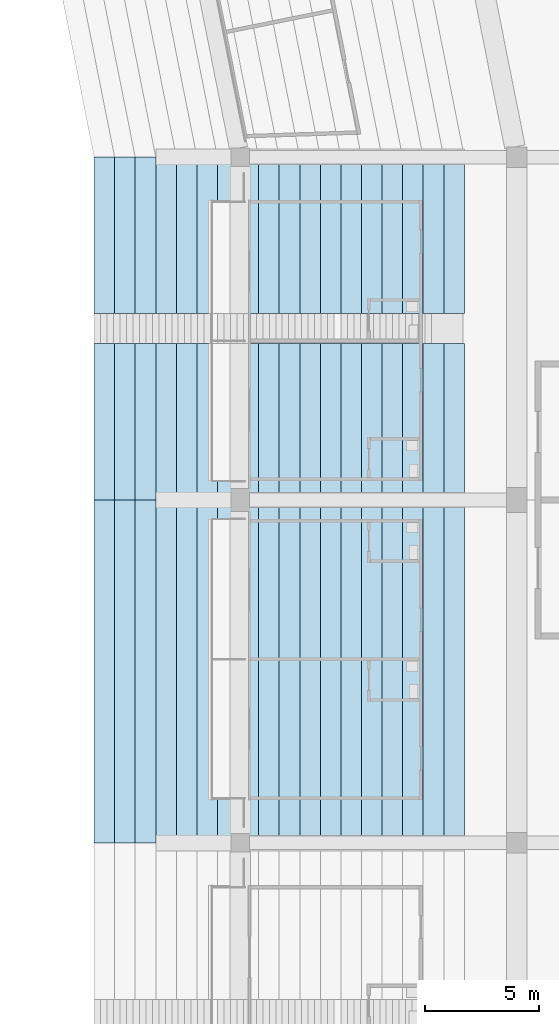
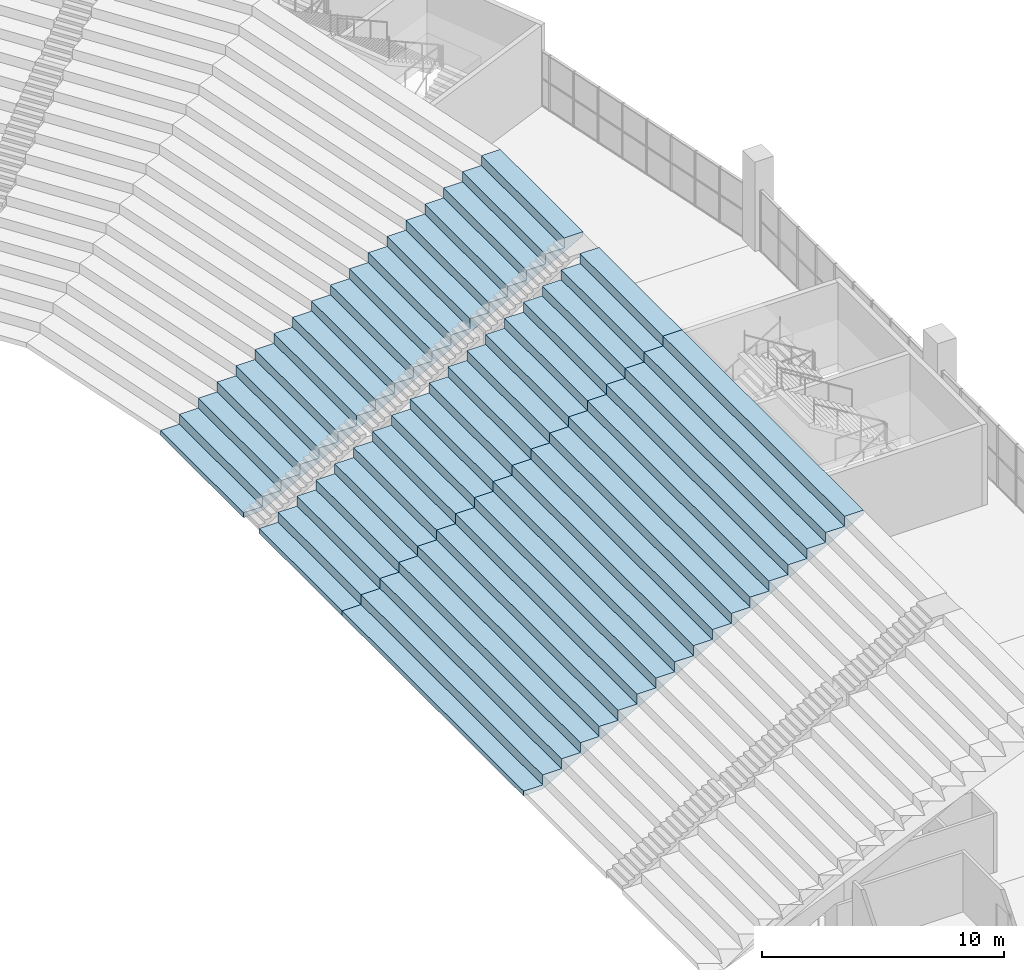
# One storey, part 128 of 249: 2 slabs.
"""IFC4 building model written with IfcOpenShell, lengths in metres."""

from ifc_helpers import new_model, si_unit, direction, frame, origin, place, context, subcontext, project, spatial, faceted_brep, material, layer, layer_set, type_object, element, save


model = new_model("IFC4")

# Units and contexts
model_context = context("Model", 3, precision=1e-05, world=origin(), true_north=direction((0.0, 1.0)))
body_context = subcontext(model_context, "Body", "Model", "MODEL_VIEW")
ifc_project = project(units=[si_unit("LENGTHUNIT", "METRE"), si_unit("AREAUNIT", "SQUARE_METRE"), si_unit("VOLUMEUNIT", "CUBIC_METRE"), si_unit("PLANEANGLEUNIT", "RADIAN"), si_unit("MASSUNIT", "GRAM", prefix="KILO")], contexts=[model_context])

# Site, building, storey
site_placement = place(None, origin())
site = spatial("IfcSite", under=ifc_project, at=site_placement, CompositionType="ELEMENT")
building_placement = place(site_placement, origin())
building = spatial("IfcBuilding", under=site, at=building_placement, Name="Ogive Plaza Stadium", CompositionType="ELEMENT")
storey_placement = place(building_placement, frame((0.0, 0.0, 13.5)))
storey = spatial("IfcBuildingStorey", under=building, at=storey_placement, Name="L03", CompositionType="ELEMENT", Elevation=13.5)

# Slabs
ifc_material = material(Name="Concrete C45/55 precast", Category="concrete")
ifc_layer = layer(ifc_material, 0.699951171875)
ifc_layer_set = layer_set([ifc_layer], Name="Concrete C45/55 precast")
slab_type = type_object("IfcSlabType", Name="Seating tier UT 700", PredefinedType="USERDEFINED", material=ifc_layer_set)
slab_1_placement = place(storey_placement, origin())
element("IfcSlab", 1, at=slab_1_placement, inside=storey, type_object=slab_type, Name="Stand UT B01", ObjectType="SEATING TIER", PredefinedType="USERDEFINED", context=body_context, shape_type="Brep", body=[
    faceted_brep([(55.5, 45.64990234375, 0.5), (56.39990234375, 45.64990234375, 0.5), (56.39990234375, 52.5, 0.5), (55.5, 52.5, 0.5), (55.5, 37.5, 0.5), (56.39990234375, 37.5, 0.5), (56.39990234375, 44.35009765625, 0.5), (55.5, 44.35009765625, 0.5), (56.39990234375, 45.64990234375, 0.300048828125), (55.5, 52.5, 0.25), (56.39990234375, 52.5, 0.300048828125), (55.5, 45.64990234375, 0.25), (56.39990234375, 37.5, 0.300048828125), (55.5, 44.35009765625, 0.25), (56.39990234375, 44.35009765625, 0.300048828125), (55.5, 37.5, 0.25), (56.39990234375, 45.64990234375, 1.0), (56.39990234375, 52.5, 1.0), (56.39990234375, 37.5, 1.0), (56.39990234375, 44.35009765625, 1.0), (57.300048828125, 52.5, 1.0), (57.300048828125, 52.5, 0.800048828125), (57.300048828125, 52.5, 1.5), (58.199951171875, 52.5, 1.5), (58.199951171875, 52.5, 1.300048828125), (58.199951171875, 52.5, 2.0), (59.10009765625, 52.5, 2.0), (59.10009765625, 52.5, 1.800048828125), (59.10009765625, 52.5, 2.5), (60.0, 52.5, 2.5), (60.0, 52.5, 2.300048828125), (60.0, 52.5, 3.0), (60.89990234375, 52.5, 3.0), (60.89990234375, 52.5, 2.800048828125), (60.89990234375, 52.5, 3.5), (61.800048828125, 52.5, 3.5), (61.800048828125, 52.5, 3.300048828125), (61.800048828125, 52.5, 4.0), (62.699951171875, 52.5, 4.0), (62.699951171875, 52.5, 3.800048828125), (62.699951171875, 52.5, 4.5), (63.60009765625, 52.5, 4.5), (63.60009765625, 52.5, 4.300048828125), (63.60009765625, 52.5, 5.0), (64.5, 52.5, 5.0), (64.5, 52.5, 4.800048828125), (64.5, 52.5, 5.5), (65.39990234375, 52.5, 5.5), (65.39990234375, 52.5, 5.300048828125), (65.39990234375, 52.5, 6.0), (66.300048828125, 52.5, 6.0), (66.300048828125, 52.5, 5.800048828125), (66.300048828125, 52.5, 6.5), (67.199951171875, 52.5, 6.5), (67.199951171875, 52.5, 6.300048828125), (67.199951171875, 52.5, 7.0), (68.10009765625, 52.5, 7.0), (68.10009765625, 52.5, 6.800048828125), (68.10009765625, 52.5, 7.5), (69.0, 52.5, 7.5), (69.0, 52.5, 7.300048828125), (69.0, 52.5, 8.0), (69.89990234375, 52.5, 8.0), (69.89990234375, 52.5, 7.800048828125), (69.89990234375, 52.5, 8.5), (70.800048828125, 52.5, 8.5), (70.800048828125, 52.5, 8.300048828125), (70.800048828125, 52.5, 9.0), (71.699951171875, 52.5, 9.0), (71.699951171875, 52.5, 8.800048828125), (57.300048828125, 45.64990234375, 1.0), (57.300048828125, 45.64990234375, 0.800048828125), (58.199951171875, 45.64990234375, 1.5), (57.300048828125, 45.64990234375, 1.5), (58.199951171875, 45.64990234375, 1.300048828125), (59.10009765625, 45.64990234375, 2.0), (58.199951171875, 45.64990234375, 2.0), (59.10009765625, 45.64990234375, 1.800048828125), (60.0, 45.64990234375, 2.5), (59.10009765625, 45.64990234375, 2.5), (60.0, 45.64990234375, 2.300048828125), (60.89990234375, 45.64990234375, 3.0), (60.0, 45.64990234375, 3.0), (60.89990234375, 45.64990234375, 2.800048828125), (61.800048828125, 45.64990234375, 3.5), (60.89990234375, 45.64990234375, 3.5), (61.800048828125, 45.64990234375, 3.300048828125), (62.699951171875, 45.64990234375, 4.0), (61.800048828125, 45.64990234375, 4.0), (62.699951171875, 45.64990234375, 3.800048828125), (63.60009765625, 45.64990234375, 4.5), (62.699951171875, 45.64990234375, 4.5), (63.60009765625, 45.64990234375, 4.300048828125), (64.5, 45.64990234375, 5.0), (63.60009765625, 45.64990234375, 5.0), (64.5, 45.64990234375, 4.800048828125), (65.39990234375, 45.64990234375, 5.5), (64.5, 45.64990234375, 5.5), (65.39990234375, 45.64990234375, 5.300048828125), (66.300048828125, 45.64990234375, 6.0), (65.39990234375, 45.64990234375, 6.0), (66.300048828125, 45.64990234375, 5.800048828125), (67.199951171875, 45.64990234375, 6.5), (66.300048828125, 45.64990234375, 6.5), (67.199951171875, 45.64990234375, 6.300048828125), (68.10009765625, 45.64990234375, 7.0), (67.199951171875, 45.64990234375, 7.0), (68.10009765625, 45.64990234375, 6.800048828125), (69.0, 45.64990234375, 7.5), (68.10009765625, 45.64990234375, 7.5), (69.0, 45.64990234375, 7.300048828125), (69.89990234375, 45.64990234375, 8.0), (69.0, 45.64990234375, 8.0), (69.89990234375, 45.64990234375, 7.800048828125), (70.800048828125, 45.64990234375, 8.5), (69.89990234375, 45.64990234375, 8.5), (70.800048828125, 45.64990234375, 8.300048828125), (71.699951171875, 45.64990234375, 9.0), (70.800048828125, 45.64990234375, 9.0), (71.699951171875, 45.64990234375, 8.800048828125), (57.300048828125, 44.35009765625, 1.0), (57.300048828125, 44.35009765625, 0.800048828125), (57.300048828125, 44.35009765625, 1.5), (58.199951171875, 44.35009765625, 1.5), (58.199951171875, 44.35009765625, 1.300048828125), (58.199951171875, 44.35009765625, 2.0), (59.10009765625, 44.35009765625, 2.0), (59.10009765625, 44.35009765625, 1.800048828125), (59.10009765625, 44.35009765625, 2.5), (60.0, 44.35009765625, 2.5), (60.0, 44.35009765625, 2.300048828125), (60.0, 44.35009765625, 3.0), (60.89990234375, 44.35009765625, 3.0), (60.89990234375, 44.35009765625, 2.800048828125), (60.89990234375, 44.35009765625, 3.5), (61.800048828125, 44.35009765625, 3.5), (61.800048828125, 44.35009765625, 3.300048828125), (61.800048828125, 44.35009765625, 4.0), (62.699951171875, 44.35009765625, 4.0), (62.699951171875, 44.35009765625, 3.800048828125), (62.699951171875, 44.35009765625, 4.5), (63.60009765625, 44.35009765625, 4.5), (63.60009765625, 44.35009765625, 4.300048828125), (63.60009765625, 44.35009765625, 5.0), (64.5, 44.35009765625, 5.0), (64.5, 44.35009765625, 4.800048828125), (64.5, 44.35009765625, 5.5), (65.39990234375, 44.35009765625, 5.5), (65.39990234375, 44.35009765625, 5.300048828125), (65.39990234375, 44.35009765625, 6.0), (66.300048828125, 44.35009765625, 6.0), (66.300048828125, 44.35009765625, 5.800048828125), (66.300048828125, 44.35009765625, 6.5), (67.199951171875, 44.35009765625, 6.5), (67.199951171875, 44.35009765625, 6.300048828125), (67.199951171875, 44.35009765625, 7.0), (68.10009765625, 44.35009765625, 7.0), (68.10009765625, 44.35009765625, 6.800048828125), (68.10009765625, 44.35009765625, 7.5), (69.0, 44.35009765625, 7.5), (69.0, 44.35009765625, 7.300048828125), (69.0, 44.35009765625, 8.0), (69.89990234375, 44.35009765625, 8.0), (69.89990234375, 44.35009765625, 7.800048828125), (69.89990234375, 44.35009765625, 8.5), (70.800048828125, 44.35009765625, 8.5), (70.800048828125, 44.35009765625, 8.300048828125), (70.800048828125, 44.35009765625, 9.0), (71.699951171875, 44.35009765625, 9.0), (71.699951171875, 44.35009765625, 8.800048828125), (57.300048828125, 37.5, 1.0), (57.300048828125, 37.5, 0.800048828125), (58.199951171875, 37.5, 1.5), (57.300048828125, 37.5, 1.5), (58.199951171875, 37.5, 1.300048828125), (59.10009765625, 37.5, 2.0), (58.199951171875, 37.5, 2.0), (59.10009765625, 37.5, 1.800048828125), (60.0, 37.5, 2.5), (59.10009765625, 37.5, 2.5), (60.0, 37.5, 2.300048828125), (60.89990234375, 37.5, 3.0), (60.0, 37.5, 3.0), (60.89990234375, 37.5, 2.800048828125), (61.800048828125, 37.5, 3.5), (60.89990234375, 37.5, 3.5), (61.800048828125, 37.5, 3.300048828125), (62.699951171875, 37.5, 4.0), (61.800048828125, 37.5, 4.0), (62.699951171875, 37.5, 3.800048828125), (63.60009765625, 37.5, 4.5), (62.699951171875, 37.5, 4.5), (63.60009765625, 37.5, 4.300048828125), (64.5, 37.5, 5.0), (63.60009765625, 37.5, 5.0), (64.5, 37.5, 4.800048828125), (65.39990234375, 37.5, 5.5), (64.5, 37.5, 5.5), (65.39990234375, 37.5, 5.300048828125), (66.300048828125, 37.5, 6.0), (65.39990234375, 37.5, 6.0), (66.300048828125, 37.5, 5.800048828125), (67.199951171875, 37.5, 6.5), (66.300048828125, 37.5, 6.5), (67.199951171875, 37.5, 6.300048828125), (68.10009765625, 37.5, 7.0), (67.199951171875, 37.5, 7.0), (68.10009765625, 37.5, 6.800048828125), (69.0, 37.5, 7.5), (68.10009765625, 37.5, 7.5), (69.0, 37.5, 7.300048828125), (69.89990234375, 37.5, 8.0), (69.0, 37.5, 8.0), (69.89990234375, 37.5, 7.800048828125), (70.800048828125, 37.5, 8.5), (69.89990234375, 37.5, 8.5), (70.800048828125, 37.5, 8.300048828125), (71.699951171875, 37.5, 9.0), (70.800048828125, 37.5, 9.0), (71.699951171875, 37.5, 8.800048828125)], [[[0, 1, 2]], [[2, 3, 0]], [[4, 5, 6]], [[6, 7, 4]], [[8, 9, 10]], [[8, 11, 9]], [[12, 13, 14]], [[12, 15, 13]], [[1, 16, 17]], [[17, 2, 1]], [[5, 18, 19]], [[19, 6, 5]], [[10, 9, 3]], [[10, 3, 2]], [[2, 17, 20]], [[20, 21, 10]], [[10, 2, 20]], [[20, 22, 23]], [[23, 24, 21]], [[21, 20, 23]], [[23, 25, 26]], [[26, 27, 24]], [[24, 23, 26]], [[26, 28, 29]], [[29, 30, 27]], [[27, 26, 29]], [[29, 31, 32]], [[32, 33, 30]], [[30, 29, 32]], [[32, 34, 35]], [[35, 36, 33]], [[33, 32, 35]], [[35, 37, 38]], [[38, 39, 36]], [[36, 35, 38]], [[38, 40, 41]], [[41, 42, 39]], [[39, 38, 41]], [[41, 43, 44]], [[44, 45, 42]], [[42, 41, 44]], [[44, 46, 47]], [[47, 48, 45]], [[45, 44, 47]], [[47, 49, 50]], [[50, 51, 48]], [[48, 47, 50]], [[50, 52, 53]], [[53, 54, 51]], [[51, 50, 53]], [[53, 55, 56]], [[56, 57, 54]], [[54, 53, 56]], [[56, 58, 59]], [[59, 60, 57]], [[57, 56, 59]], [[59, 61, 62]], [[62, 63, 60]], [[60, 59, 62]], [[62, 64, 65]], [[65, 66, 63]], [[63, 62, 65]], [[65, 67, 68]], [[68, 69, 66]], [[66, 65, 68]], [[3, 9, 11]], [[11, 0, 3]], [[7, 13, 15]], [[15, 4, 7]], [[0, 11, 8]], [[8, 1, 0]], [[70, 16, 1]], [[1, 8, 71]], [[71, 70, 1]], [[72, 73, 70]], [[70, 71, 74]], [[74, 72, 70]], [[75, 76, 72]], [[72, 74, 77]], [[77, 75, 72]], [[78, 79, 75]], [[75, 77, 80]], [[80, 78, 75]], [[81, 82, 78]], [[78, 80, 83]], [[83, 81, 78]], [[84, 85, 81]], [[81, 83, 86]], [[86, 84, 81]], [[87, 88, 84]], [[84, 86, 89]], [[89, 87, 84]], [[90, 91, 87]], [[87, 89, 92]], [[92, 90, 87]], [[93, 94, 90]], [[90, 92, 95]], [[95, 93, 90]], [[96, 97, 93]], [[93, 95, 98]], [[98, 96, 93]], [[99, 100, 96]], [[96, 98, 101]], [[101, 99, 96]], [[102, 103, 99]], [[99, 101, 104]], [[104, 102, 99]], [[105, 106, 102]], [[102, 104, 107]], [[107, 105, 102]], [[108, 109, 105]], [[105, 107, 110]], [[110, 108, 105]], [[111, 112, 108]], [[108, 110, 113]], [[113, 111, 108]], [[114, 115, 111]], [[111, 113, 116]], [[116, 114, 111]], [[117, 118, 114]], [[114, 116, 119]], [[119, 117, 114]], [[14, 13, 7]], [[14, 7, 6]], [[6, 19, 120]], [[120, 121, 14]], [[14, 6, 120]], [[120, 122, 123]], [[123, 124, 121]], [[121, 120, 123]], [[123, 125, 126]], [[126, 127, 124]], [[124, 123, 126]], [[126, 128, 129]], [[129, 130, 127]], [[127, 126, 129]], [[129, 131, 132]], [[132, 133, 130]], [[130, 129, 132]], [[132, 134, 135]], [[135, 136, 133]], [[133, 132, 135]], [[135, 137, 138]], [[138, 139, 136]], [[136, 135, 138]], [[138, 140, 141]], [[141, 142, 139]], [[139, 138, 141]], [[141, 143, 144]], [[144, 145, 142]], [[142, 141, 144]], [[144, 146, 147]], [[147, 148, 145]], [[145, 144, 147]], [[147, 149, 150]], [[150, 151, 148]], [[148, 147, 150]], [[150, 152, 153]], [[153, 154, 151]], [[151, 150, 153]], [[153, 155, 156]], [[156, 157, 154]], [[154, 153, 156]], [[156, 158, 159]], [[159, 160, 157]], [[157, 156, 159]], [[159, 161, 162]], [[162, 163, 160]], [[160, 159, 162]], [[162, 164, 165]], [[165, 166, 163]], [[163, 162, 165]], [[165, 167, 168]], [[168, 169, 166]], [[166, 165, 168]], [[4, 15, 12]], [[12, 5, 4]], [[170, 18, 5]], [[5, 12, 171]], [[171, 170, 5]], [[172, 173, 170]], [[170, 171, 174]], [[174, 172, 170]], [[175, 176, 172]], [[172, 174, 177]], [[177, 175, 172]], [[178, 179, 175]], [[175, 177, 180]], [[180, 178, 175]], [[181, 182, 178]], [[178, 180, 183]], [[183, 181, 178]], [[184, 185, 181]], [[181, 183, 186]], [[186, 184, 181]], [[187, 188, 184]], [[184, 186, 189]], [[189, 187, 184]], [[190, 191, 187]], [[187, 189, 192]], [[192, 190, 187]], [[193, 194, 190]], [[190, 192, 195]], [[195, 193, 190]], [[196, 197, 193]], [[193, 195, 198]], [[198, 196, 193]], [[199, 200, 196]], [[196, 198, 201]], [[201, 199, 196]], [[202, 203, 199]], [[199, 201, 204]], [[204, 202, 199]], [[205, 206, 202]], [[202, 204, 207]], [[207, 205, 202]], [[208, 209, 205]], [[205, 207, 210]], [[210, 208, 205]], [[211, 212, 208]], [[208, 210, 213]], [[213, 211, 208]], [[214, 215, 211]], [[211, 213, 216]], [[216, 214, 211]], [[217, 218, 214]], [[214, 216, 219]], [[219, 217, 214]], [[16, 70, 20]], [[20, 17, 16]], [[18, 170, 120]], [[120, 19, 18]], [[71, 10, 21]], [[71, 8, 10]], [[171, 14, 121]], [[171, 12, 14]], [[74, 21, 24]], [[74, 71, 21]], [[174, 121, 124]], [[174, 171, 121]], [[77, 24, 27]], [[77, 74, 24]], [[177, 124, 127]], [[177, 174, 124]], [[80, 27, 30]], [[80, 77, 27]], [[180, 127, 130]], [[180, 177, 127]], [[83, 30, 33]], [[83, 80, 30]], [[183, 130, 133]], [[183, 180, 130]], [[86, 33, 36]], [[86, 83, 33]], [[186, 133, 136]], [[186, 183, 133]], [[89, 36, 39]], [[89, 86, 36]], [[189, 136, 139]], [[189, 186, 136]], [[92, 39, 42]], [[92, 89, 39]], [[192, 139, 142]], [[192, 189, 139]], [[95, 42, 45]], [[95, 92, 42]], [[195, 142, 145]], [[195, 192, 142]], [[98, 45, 48]], [[98, 95, 45]], [[198, 145, 148]], [[198, 195, 145]], [[101, 48, 51]], [[101, 98, 48]], [[201, 148, 151]], [[201, 198, 148]], [[104, 51, 54]], [[104, 101, 51]], [[204, 151, 154]], [[204, 201, 151]], [[107, 54, 57]], [[107, 104, 54]], [[207, 154, 157]], [[207, 204, 154]], [[110, 57, 60]], [[110, 107, 57]], [[210, 157, 160]], [[210, 207, 157]], [[70, 73, 22]], [[22, 20, 70]], [[170, 173, 122]], [[122, 120, 170]], [[73, 72, 23]], [[23, 22, 73]], [[173, 172, 123]], [[123, 122, 173]], [[72, 76, 25]], [[25, 23, 72]], [[172, 176, 125]], [[125, 123, 172]], [[76, 75, 26]], [[26, 25, 76]], [[176, 175, 126]], [[126, 125, 176]], [[75, 79, 28]], [[28, 26, 75]], [[175, 179, 128]], [[128, 126, 175]], [[79, 78, 29]], [[29, 28, 79]], [[179, 178, 129]], [[129, 128, 179]], [[78, 82, 31]], [[31, 29, 78]], [[178, 182, 131]], [[131, 129, 178]], [[82, 81, 32]], [[32, 31, 82]], [[182, 181, 132]], [[132, 131, 182]], [[81, 85, 34]], [[34, 32, 81]], [[181, 185, 134]], [[134, 132, 181]], [[85, 84, 35]], [[35, 34, 85]], [[185, 184, 135]], [[135, 134, 185]], [[84, 88, 37]], [[37, 35, 84]], [[184, 188, 137]], [[137, 135, 184]], [[88, 87, 38]], [[38, 37, 88]], [[188, 187, 138]], [[138, 137, 188]], [[87, 91, 40]], [[40, 38, 87]], [[187, 191, 140]], [[140, 138, 187]], [[91, 90, 41]], [[41, 40, 91]], [[191, 190, 141]], [[141, 140, 191]], [[90, 94, 43]], [[43, 41, 90]], [[190, 194, 143]], [[143, 141, 190]], [[94, 93, 44]], [[44, 43, 94]], [[194, 193, 144]], [[144, 143, 194]], [[93, 97, 46]], [[46, 44, 93]], [[193, 197, 146]], [[146, 144, 193]], [[97, 96, 47]], [[47, 46, 97]], [[197, 196, 147]], [[147, 146, 197]], [[96, 100, 49]], [[49, 47, 96]], [[196, 200, 149]], [[149, 147, 196]], [[100, 99, 50]], [[50, 49, 100]], [[200, 199, 150]], [[150, 149, 200]], [[99, 103, 52]], [[52, 50, 99]], [[199, 203, 152]], [[152, 150, 199]], [[103, 102, 53]], [[53, 52, 103]], [[203, 202, 153]], [[153, 152, 203]], [[102, 106, 55]], [[55, 53, 102]], [[202, 206, 155]], [[155, 153, 202]], [[106, 105, 56]], [[56, 55, 106]], [[206, 205, 156]], [[156, 155, 206]], [[105, 109, 58]], [[58, 56, 105]], [[205, 209, 158]], [[158, 156, 205]], [[109, 108, 59]], [[59, 58, 109]], [[209, 208, 159]], [[159, 158, 209]], [[108, 112, 61]], [[61, 59, 108]], [[208, 212, 161]], [[161, 159, 208]], [[112, 111, 62]], [[62, 61, 112]], [[212, 211, 162]], [[162, 161, 212]], [[113, 60, 63]], [[113, 110, 60]], [[213, 160, 163]], [[213, 210, 160]], [[116, 63, 66]], [[116, 113, 63]], [[216, 163, 166]], [[216, 213, 163]], [[119, 66, 69]], [[119, 116, 66]], [[219, 166, 169]], [[219, 216, 166]], [[111, 115, 64]], [[64, 62, 111]], [[211, 215, 164]], [[164, 162, 211]], [[115, 114, 65]], [[65, 64, 115]], [[215, 214, 165]], [[165, 164, 215]], [[114, 118, 67]], [[67, 65, 114]], [[214, 218, 167]], [[167, 165, 214]], [[118, 117, 68]], [[68, 67, 118]], [[218, 217, 168]], [[168, 167, 218]], [[117, 119, 69]], [[69, 68, 117]], [[217, 219, 169]], [[169, 168, 217]]]),
])
slab_2_placement = place(storey_placement, origin())
element("IfcSlab", 2, at=slab_2_placement, inside=storey, type_object=slab_type, Name="Stand UT B02", ObjectType="SEATING TIER", PredefinedType="USERDEFINED", context=body_context, shape_type="Brep", body=[
    faceted_brep([(55.5, 22.5, 0.5), (56.39990234375, 22.5, 0.5), (56.39990234375, 37.5, 0.5), (55.5, 37.5, 0.5), (56.39990234375, 22.5, 0.300048828125), (55.5, 37.5, 0.25), (56.39990234375, 37.5, 0.300048828125), (55.5, 22.5, 0.25), (56.39990234375, 22.5, 1.0), (56.39990234375, 37.5, 1.0), (57.300048828125, 37.5, 1.0), (57.300048828125, 37.5, 0.800048828125), (57.300048828125, 37.5, 1.5), (58.199951171875, 37.5, 1.5), (58.199951171875, 37.5, 1.300048828125), (58.199951171875, 37.5, 2.0), (59.10009765625, 37.5, 2.0), (59.10009765625, 37.5, 1.800048828125), (59.10009765625, 37.5, 2.5), (60.0, 37.5, 2.5), (60.0, 37.5, 2.300048828125), (60.0, 37.5, 3.0), (60.89990234375, 37.5, 3.0), (60.89990234375, 37.5, 2.800048828125), (60.89990234375, 37.5, 3.5), (61.800048828125, 37.5, 3.5), (61.800048828125, 37.5, 3.300048828125), (61.800048828125, 37.5, 4.0), (62.699951171875, 37.5, 4.0), (62.699951171875, 37.5, 3.800048828125), (62.699951171875, 37.5, 4.5), (63.60009765625, 37.5, 4.5), (63.60009765625, 37.5, 4.300048828125), (63.60009765625, 37.5, 5.0), (64.5, 37.5, 5.0), (64.5, 37.5, 4.800048828125), (64.5, 37.5, 5.5), (65.39990234375, 37.5, 5.5), (65.39990234375, 37.5, 5.300048828125), (65.39990234375, 37.5, 6.0), (66.300048828125, 37.5, 6.0), (66.300048828125, 37.5, 5.800048828125), (66.300048828125, 37.5, 6.5), (67.199951171875, 37.5, 6.5), (67.199951171875, 37.5, 6.300048828125), (67.199951171875, 37.5, 7.0), (68.10009765625, 37.5, 7.0), (68.10009765625, 37.5, 6.800048828125), (68.10009765625, 37.5, 7.5), (69.0, 37.5, 7.5), (69.0, 37.5, 7.300048828125), (69.0, 37.5, 8.0), (69.89990234375, 37.5, 8.0), (69.89990234375, 37.5, 7.800048828125), (69.89990234375, 37.5, 8.5), (70.800048828125, 37.5, 8.5), (70.800048828125, 37.5, 8.300048828125), (70.800048828125, 37.5, 9.0), (71.699951171875, 37.5, 9.0), (71.699951171875, 37.5, 8.800048828125), (57.300048828125, 22.5, 1.0), (57.300048828125, 22.5, 0.800048828125), (58.199951171875, 22.5, 1.5), (57.300048828125, 22.5, 1.5), (58.199951171875, 22.5, 1.300048828125), (59.10009765625, 22.5, 2.0), (58.199951171875, 22.5, 2.0), (59.10009765625, 22.5, 1.800048828125), (60.0, 22.5, 2.5), (59.10009765625, 22.5, 2.5), (60.0, 22.5, 2.300048828125), (60.89990234375, 22.5, 3.0), (60.0, 22.5, 3.0), (60.89990234375, 22.5, 2.800048828125), (61.800048828125, 22.5, 3.5), (60.89990234375, 22.5, 3.5), (61.800048828125, 22.5, 3.300048828125), (62.699951171875, 22.5, 4.0), (61.800048828125, 22.5, 4.0), (62.699951171875, 22.5, 3.800048828125), (63.60009765625, 22.5, 4.5), (62.699951171875, 22.5, 4.5), (63.60009765625, 22.5, 4.300048828125), (64.5, 22.5, 5.0), (63.60009765625, 22.5, 5.0), (64.5, 22.5, 4.800048828125), (65.39990234375, 22.5, 5.5), (64.5, 22.5, 5.5), (65.39990234375, 22.5, 5.300048828125), (66.300048828125, 22.5, 6.0), (65.39990234375, 22.5, 6.0), (66.300048828125, 22.5, 5.800048828125), (67.199951171875, 22.5, 6.5), (66.300048828125, 22.5, 6.5), (67.199951171875, 22.5, 6.300048828125), (68.10009765625, 22.5, 7.0), (67.199951171875, 22.5, 7.0), (68.10009765625, 22.5, 6.800048828125), (69.0, 22.5, 7.5), (68.10009765625, 22.5, 7.5), (69.0, 22.5, 7.300048828125), (69.89990234375, 22.5, 8.0), (69.0, 22.5, 8.0), (69.89990234375, 22.5, 7.800048828125), (70.800048828125, 22.5, 8.5), (69.89990234375, 22.5, 8.5), (70.800048828125, 22.5, 8.300048828125), (71.699951171875, 22.5, 9.0), (70.800048828125, 22.5, 9.0), (71.699951171875, 22.5, 8.800048828125)], [[[0, 1, 2]], [[2, 3, 0]], [[4, 5, 6]], [[4, 7, 5]], [[1, 8, 9]], [[9, 2, 1]], [[6, 5, 3]], [[6, 3, 2]], [[2, 9, 10]], [[10, 11, 6]], [[6, 2, 10]], [[10, 12, 13]], [[13, 14, 11]], [[11, 10, 13]], [[13, 15, 16]], [[16, 17, 14]], [[14, 13, 16]], [[16, 18, 19]], [[19, 20, 17]], [[17, 16, 19]], [[19, 21, 22]], [[22, 23, 20]], [[20, 19, 22]], [[22, 24, 25]], [[25, 26, 23]], [[23, 22, 25]], [[25, 27, 28]], [[28, 29, 26]], [[26, 25, 28]], [[28, 30, 31]], [[31, 32, 29]], [[29, 28, 31]], [[31, 33, 34]], [[34, 35, 32]], [[32, 31, 34]], [[34, 36, 37]], [[37, 38, 35]], [[35, 34, 37]], [[37, 39, 40]], [[40, 41, 38]], [[38, 37, 40]], [[40, 42, 43]], [[43, 44, 41]], [[41, 40, 43]], [[43, 45, 46]], [[46, 47, 44]], [[44, 43, 46]], [[46, 48, 49]], [[49, 50, 47]], [[47, 46, 49]], [[49, 51, 52]], [[52, 53, 50]], [[50, 49, 52]], [[52, 54, 55]], [[55, 56, 53]], [[53, 52, 55]], [[55, 57, 58]], [[58, 59, 56]], [[56, 55, 58]], [[3, 5, 7]], [[7, 0, 3]], [[0, 7, 4]], [[4, 1, 0]], [[60, 8, 1]], [[1, 4, 61]], [[61, 60, 1]], [[62, 63, 60]], [[60, 61, 64]], [[64, 62, 60]], [[65, 66, 62]], [[62, 64, 67]], [[67, 65, 62]], [[68, 69, 65]], [[65, 67, 70]], [[70, 68, 65]], [[71, 72, 68]], [[68, 70, 73]], [[73, 71, 68]], [[74, 75, 71]], [[71, 73, 76]], [[76, 74, 71]], [[77, 78, 74]], [[74, 76, 79]], [[79, 77, 74]], [[80, 81, 77]], [[77, 79, 82]], [[82, 80, 77]], [[83, 84, 80]], [[80, 82, 85]], [[85, 83, 80]], [[86, 87, 83]], [[83, 85, 88]], [[88, 86, 83]], [[89, 90, 86]], [[86, 88, 91]], [[91, 89, 86]], [[92, 93, 89]], [[89, 91, 94]], [[94, 92, 89]], [[95, 96, 92]], [[92, 94, 97]], [[97, 95, 92]], [[98, 99, 95]], [[95, 97, 100]], [[100, 98, 95]], [[101, 102, 98]], [[98, 100, 103]], [[103, 101, 98]], [[104, 105, 101]], [[101, 103, 106]], [[106, 104, 101]], [[107, 108, 104]], [[104, 106, 109]], [[109, 107, 104]], [[8, 60, 10]], [[10, 9, 8]], [[61, 6, 11]], [[61, 4, 6]], [[64, 11, 14]], [[64, 61, 11]], [[67, 14, 17]], [[67, 64, 14]], [[70, 17, 20]], [[70, 67, 17]], [[73, 20, 23]], [[73, 70, 20]], [[76, 23, 26]], [[76, 73, 23]], [[79, 26, 29]], [[79, 76, 26]], [[82, 29, 32]], [[82, 79, 29]], [[85, 32, 35]], [[85, 82, 32]], [[88, 35, 38]], [[88, 85, 35]], [[91, 38, 41]], [[91, 88, 38]], [[94, 41, 44]], [[94, 91, 41]], [[97, 44, 47]], [[97, 94, 44]], [[100, 47, 50]], [[100, 97, 47]], [[60, 63, 12]], [[12, 10, 60]], [[63, 62, 13]], [[13, 12, 63]], [[62, 66, 15]], [[15, 13, 62]], [[66, 65, 16]], [[16, 15, 66]], [[65, 69, 18]], [[18, 16, 65]], [[69, 68, 19]], [[19, 18, 69]], [[68, 72, 21]], [[21, 19, 68]], [[72, 71, 22]], [[22, 21, 72]], [[71, 75, 24]], [[24, 22, 71]], [[75, 74, 25]], [[25, 24, 75]], [[74, 78, 27]], [[27, 25, 74]], [[78, 77, 28]], [[28, 27, 78]], [[77, 81, 30]], [[30, 28, 77]], [[81, 80, 31]], [[31, 30, 81]], [[80, 84, 33]], [[33, 31, 80]], [[84, 83, 34]], [[34, 33, 84]], [[83, 87, 36]], [[36, 34, 83]], [[87, 86, 37]], [[37, 36, 87]], [[86, 90, 39]], [[39, 37, 86]], [[90, 89, 40]], [[40, 39, 90]], [[89, 93, 42]], [[42, 40, 89]], [[93, 92, 43]], [[43, 42, 93]], [[92, 96, 45]], [[45, 43, 92]], [[96, 95, 46]], [[46, 45, 96]], [[95, 99, 48]], [[48, 46, 95]], [[99, 98, 49]], [[49, 48, 99]], [[98, 102, 51]], [[51, 49, 98]], [[102, 101, 52]], [[52, 51, 102]], [[103, 50, 53]], [[103, 100, 50]], [[106, 53, 56]], [[106, 103, 53]], [[109, 56, 59]], [[109, 106, 56]], [[101, 105, 54]], [[54, 52, 101]], [[105, 104, 55]], [[55, 54, 105]], [[104, 108, 57]], [[57, 55, 104]], [[108, 107, 58]], [[58, 57, 108]], [[107, 109, 59]], [[59, 58, 107]]]),
])

save(model, "model.ifc")
